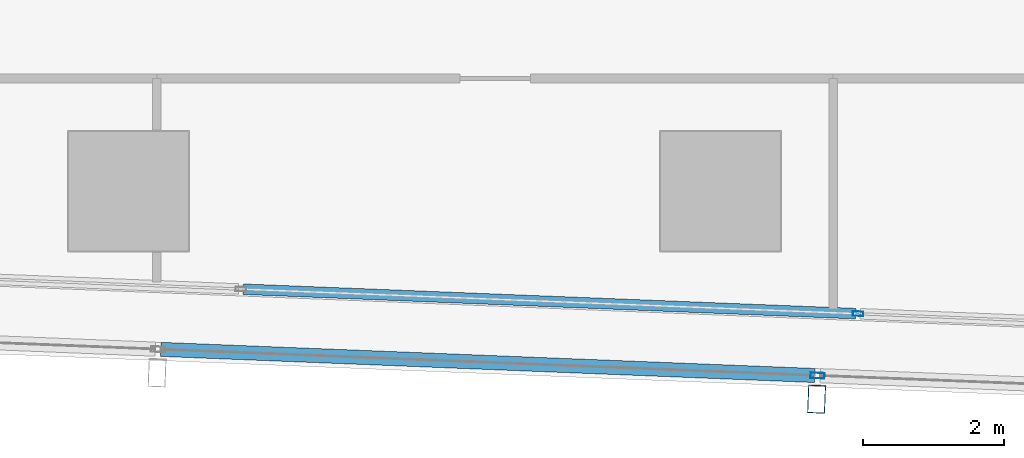
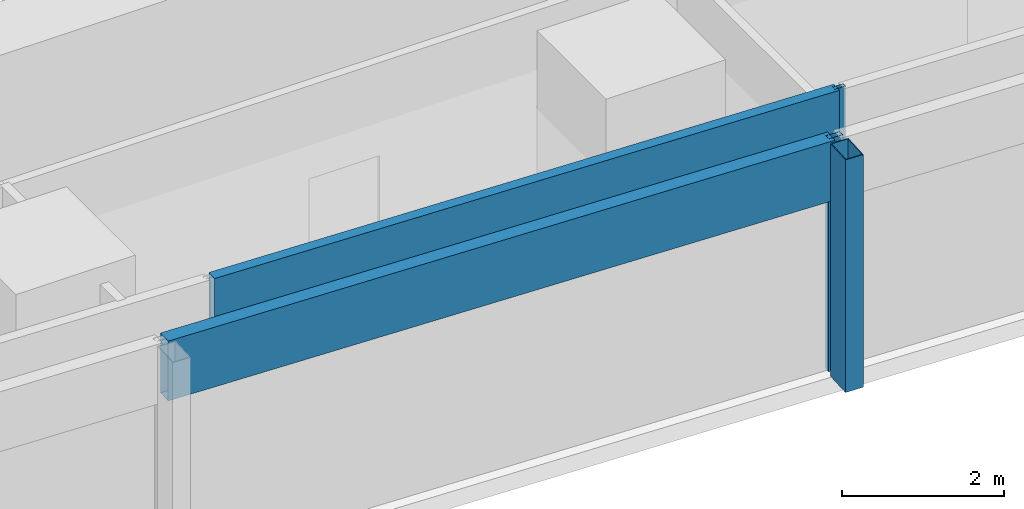
# One storey, part 7 of 34: 5 members, 2 elements without a shape of their own.
"""IFC4 building model written with IfcOpenShell, lengths in metres."""

from ifc_helpers import new_model, si_unit, direction, frame, origin, origin_2d, place, context, subcontext, project, spatial, hollow_rectangle, extrude, material, material_profile, profile_set, type_object, element, aggregate, save


model = new_model("IFC4")

# Units and contexts
model_context = context("Model", 3, precision=1e-05, world=origin(), true_north=direction((0.0, 1.0)))
body_context = subcontext(model_context, "Body", "Model", "MODEL_VIEW")
ifc_project = project(units=[si_unit("LENGTHUNIT", "METRE"), si_unit("AREAUNIT", "SQUARE_METRE"), si_unit("VOLUMEUNIT", "CUBIC_METRE"), si_unit("PLANEANGLEUNIT", "RADIAN"), si_unit("MASSUNIT", "GRAM", prefix="KILO")], contexts=[model_context])

# Site, building, storey
site_placement = place(None, origin())
site = spatial("IfcSite", under=ifc_project, at=site_placement, CompositionType="ELEMENT")
building_placement = place(site_placement, origin())
building = spatial("IfcBuilding", under=site, at=building_placement, Name="Rekha Terrace Tower", CompositionType="ELEMENT")
storey_placement = place(building_placement, frame((0.0, 0.0, 176.449951171875)))
storey = spatial("IfcBuildingStorey", under=building, at=storey_placement, Name="L44", CompositionType="ELEMENT", Elevation=176.449951171875)

# Curtain wall, member
ifc_material_1 = material(Name="Aluminium framing", Category="aluminium")
curtain_wall_type_1 = type_object("IfcCurtainWallType", Name="CW2 double skin outer glazing", PredefinedType="USERDEFINED", material=ifc_material_1)
curtain_wall_1_placement = place(storey_placement, origin())
curtain_wall_1 = element("IfcCurtainWall", 1, at=curtain_wall_1_placement, inside=storey, type_object=curtain_wall_type_1, Name="CW2 double skin outer glazing", ObjectType="DOUBLE SKIN OUTER GLAZING", PredefinedType="USERDEFINED")
ifc_material_2 = material(Name="Steel S355 with fluorocarbon finish", Category="steel")
ifc_material_profile_1 = material_profile(ifc_material_2, hollow_rectangle(XDim=0.25, YDim=0.39990234375, WallThickness=0.012451171875, at=origin_2d()), Name="RHS400x250x12.5")
ifc_profile_set_1 = profile_set([ifc_material_profile_1], Name="Steel S355 with fluorocarbon finish")
member_type_1 = type_object("IfcMemberType", Name="BL1 facade blade RHS 400 x 250", PredefinedType="USERDEFINED", material=ifc_profile_set_1)
member_1_placement = place(storey_placement, frame((34.9638671875, 13.84912109375, 0.0), z_axis=(0.0, 0.0, 1.0), x_axis=(0.999204797763, -0.039871946621, 0.0)))
member_1 = element("IfcMember", 2, at=member_1_placement, type_object=member_type_1, Name="Facade blade", ObjectType="FACADE BLADE", PredefinedType="USERDEFINED", context=body_context, shape_type="SweptSolid", body=[
    extrude(hollow_rectangle(XDim=0.25, YDim=0.39990234375, WallThickness=0.012451171875, at=origin_2d()), origin(), (0.0, 0.0, 1.0), 3.5),
])

# Curtain wall, members
curtain_wall_type_2 = type_object("IfcCurtainWallType", Name="CW1 double skin inner glazing", PredefinedType="USERDEFINED", material=ifc_material_1)
curtain_wall_2_placement = place(storey_placement, origin())
curtain_wall_2 = element("IfcCurtainWall", 3, at=curtain_wall_2_placement, inside=storey, type_object=curtain_wall_type_2, Name="CW1 double skin inner glazing", ObjectType="DOUBLE SKIN INNER GLAZING", PredefinedType="USERDEFINED")
ifc_material_3 = material(Name="Aluminium mullion section", Category="aluminium")
ifc_material_profile_2 = material_profile(ifc_material_3, hollow_rectangle(XDim=0.06494140625, YDim=0.14990234375, WallThickness=0.00390625, at=origin_2d()), Name="AL RHS 65x150")
ifc_profile_set_2 = profile_set([ifc_material_profile_2], Name="Aluminium mullion section")
member_type_2 = type_object("IfcMemberType", Name="CW1 mullion RHS 65 x 150", PredefinedType="MULLION", material=ifc_profile_set_2)
member_2_placement = place(storey_placement, frame((35.55224609375, 15.0615234375, 0.0), z_axis=(0.0, 0.0, 1.0), x_axis=(0.039872497044, 0.999204775799, 0.0)))
member_2 = element("IfcMember", 4, at=member_2_placement, type_object=member_type_2, Name="CW1 mullion 4", PredefinedType="MULLION", context=body_context, shape_type="SweptSolid", body=[
    extrude(hollow_rectangle(XDim=0.06494140625, YDim=0.14990234375, WallThickness=0.00390625, at=origin_2d()), origin(), (0.0, 0.0, 1.0), 3.5),
])
ifc_material_4 = material(Name="Insulated aluminium spandrel box", Category="aluminium")
ifc_material_profile_3 = material_profile(ifc_material_4, hollow_rectangle(XDim=0.14990234375, YDim=0.89990234375, WallThickness=0.0029296875, at=origin_2d()), Name="AL SPANDREL BOX 150x900")
ifc_profile_set_3 = profile_set([ifc_material_profile_3], Name="Insulated aluminium spandrel box")
member_type_3 = type_object("IfcMemberType", Name="CW1 spandrel transom 150 x 900", PredefinedType="USERDEFINED", material=ifc_profile_set_3)
member_3_placement = place(storey_placement, frame((26.8251953125, 15.40966796875, 3.050048828125), z_axis=(0.999204898015, -0.039869434198, 0.0), x_axis=(0.039869434198, 0.999204898015, 0.0)))
member_3 = element("IfcMember", 5, at=member_3_placement, type_object=member_type_3, Name="CW1 spandrel transom 3", ObjectType="TRANSOM", PredefinedType="USERDEFINED", context=body_context, shape_type="SweptSolid", body=[
    extrude(hollow_rectangle(XDim=0.14990234375, YDim=0.89990234375, WallThickness=0.0029296875, at=origin_2d()), origin(), (0.0, 0.0, 1.0), 8.701416015625),
])
aggregate(curtain_wall_2, [member_2, member_3])

# Member
ifc_material_profile_4 = material_profile(ifc_material_3, hollow_rectangle(XDim=0.080078125, YDim=0.199951171875, WallThickness=0.00390625, at=origin_2d()), Name="AL RHS 80x200")
ifc_profile_set_4 = profile_set([ifc_material_profile_4], Name="Aluminium mullion section")
member_type_4 = type_object("IfcMemberType", Name="CW2 mullion RHS 80 x 200", PredefinedType="MULLION", material=ifc_profile_set_4)
member_4_placement = place(storey_placement, frame((34.97705078125, 14.183837890625, 0.0), z_axis=(0.0, 0.0, 1.0), x_axis=(0.039872497044, 0.999204775799, 0.0)))
member_4 = element("IfcMember", 6, at=member_4_placement, type_object=member_type_4, Name="CW2 mullion 4", PredefinedType="MULLION", context=body_context, shape_type="SweptSolid", body=[
    extrude(hollow_rectangle(XDim=0.080078125, YDim=0.199951171875, WallThickness=0.00390625, at=origin_2d()), origin(), (0.0, 0.0, 1.0), 3.5),
])

ifc_material_profile_5 = material_profile(ifc_material_4, hollow_rectangle(XDim=0.199951171875, YDim=0.89990234375, WallThickness=0.0029296875, at=origin_2d()), Name="AL SPANDREL BOX 200x900")
ifc_profile_set_5 = profile_set([ifc_material_profile_5], Name="Insulated aluminium spandrel box")
member_type_5 = type_object("IfcMemberType", Name="CW2 spandrel transom 200 x 900", PredefinedType="USERDEFINED", material=ifc_profile_set_5)
member_5_placement = place(storey_placement, frame((25.658447265625, 14.5556640625, 3.050048828125), z_axis=(0.999204356934, -0.039882992408, 0.0), x_axis=(0.039882992408, 0.999204356934, 0.0)))
member_5 = element("IfcMember", 7, at=member_5_placement, type_object=member_type_5, Name="CW2 spandrel transom 3", ObjectType="TRANSOM", PredefinedType="USERDEFINED", context=body_context, shape_type="SweptSolid", body=[
    extrude(hollow_rectangle(XDim=0.199951171875, YDim=0.89990234375, WallThickness=0.0029296875, at=origin_2d()), origin(), (0.0, 0.0, 1.0), 9.2861328125),
])

aggregate(curtain_wall_1, [member_4, member_5, member_1])

save(model, "model.ifc")
